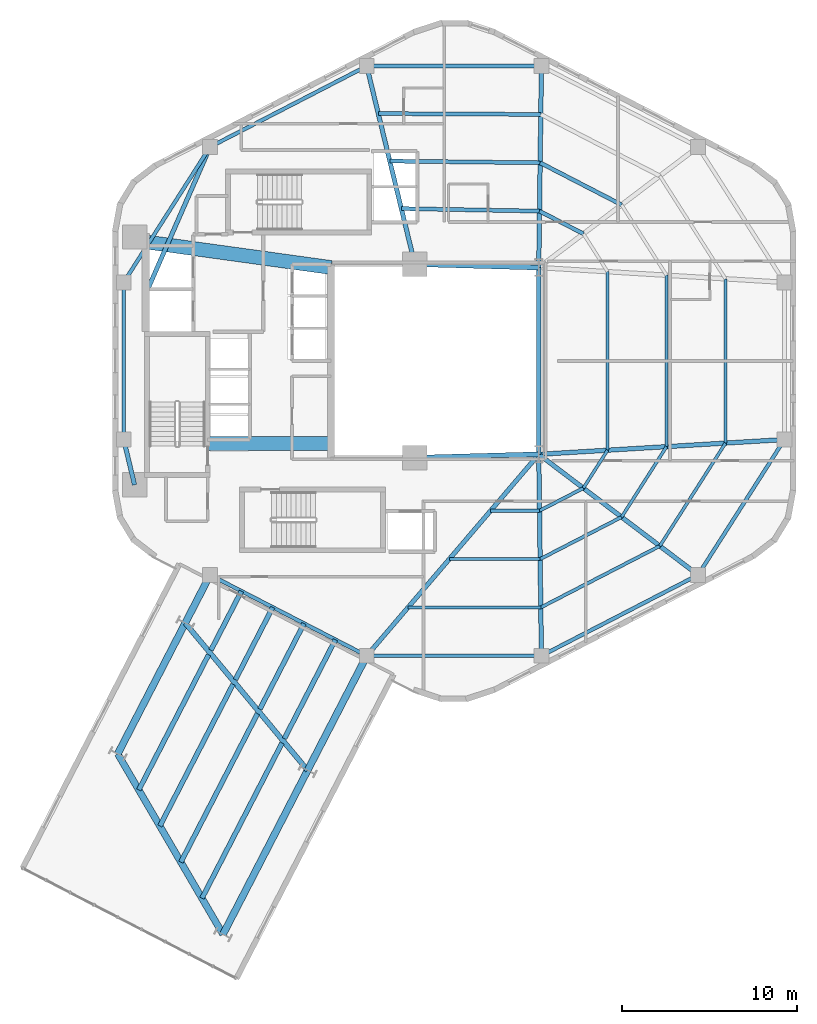
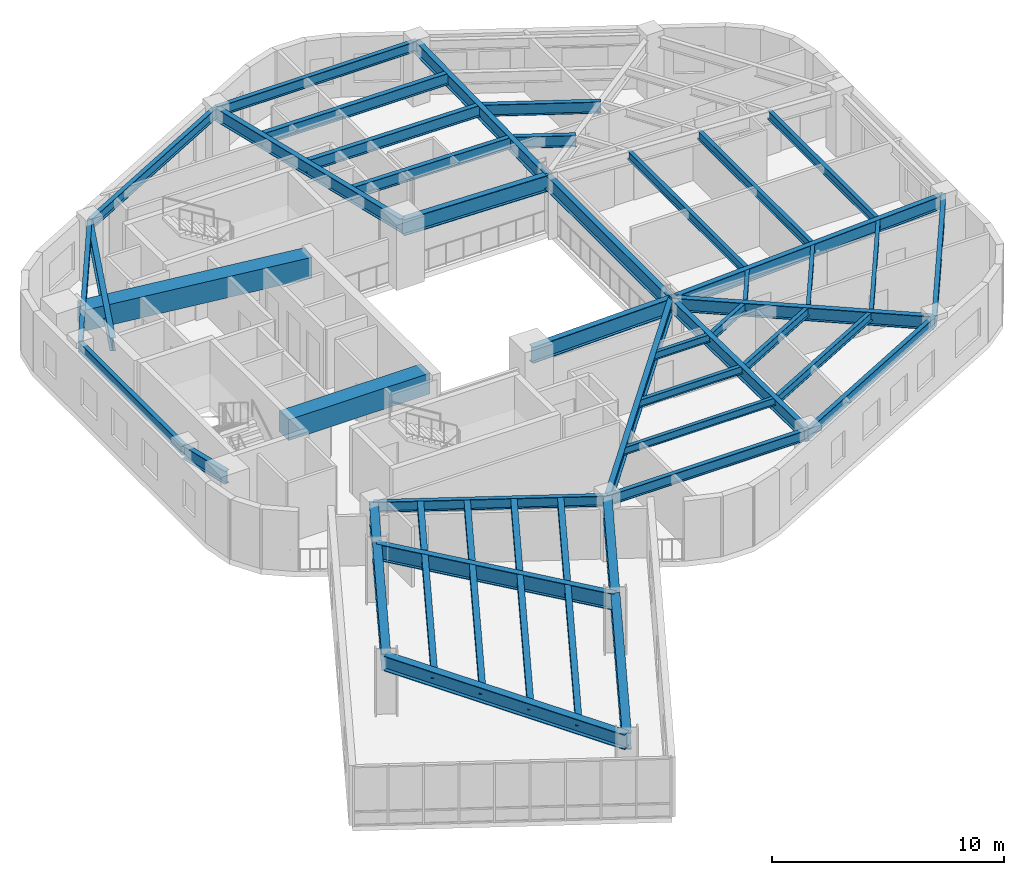
# One storey, part 3 of 9: 52 beams.
"""IFC4 building model written with IfcOpenShell, lengths in metres."""

from ifc_helpers import new_model, si_unit, direction, frame, origin, origin_2d, place, context, subcontext, project, spatial, rectangle, i_section, extrude, material, material_profile, profile_set, type_object, element, save


model = new_model("IFC4")

# Units and contexts
model_context = context("Model", 3, precision=1e-05, world=origin(), true_north=direction((0.0, 1.0)))
body_context = subcontext(model_context, "Body", "Model", "MODEL_VIEW")
ifc_project = project(units=[si_unit("LENGTHUNIT", "METRE"), si_unit("AREAUNIT", "SQUARE_METRE"), si_unit("VOLUMEUNIT", "CUBIC_METRE"), si_unit("PLANEANGLEUNIT", "RADIAN"), si_unit("MASSUNIT", "GRAM", prefix="KILO"), si_unit("THERMODYNAMICTEMPERATUREUNIT", "KELVIN"), si_unit("POWERUNIT", "WATT")], contexts=[model_context])

# Site, building, storey
site_placement = place(None, origin())
site = spatial("IfcSite", under=ifc_project, at=site_placement, CompositionType="ELEMENT")
building_placement = place(site_placement, origin())
building = spatial("IfcBuilding", under=site, at=building_placement, Name="Skarre Station Tower", CompositionType="ELEMENT")
storey_placement = place(building_placement, frame((0.0, 0.0, 174.0)))
storey = spatial("IfcBuildingStorey", under=building, at=storey_placement, Name="L47", CompositionType="ELEMENT", Elevation=174.0)

# Beams
ifc_material_1 = material(Name="Concrete C70/85", Category="concrete")
ifc_material_profile_1 = material_profile(ifc_material_1, rectangle(XDim=0.800048828125, YDim=1.10009765625, at=origin_2d()), Name="Concrete C70/85")
ifc_profile_set_1 = profile_set([ifc_material_profile_1], Name="Concrete C70/85")
beam_type_1 = type_object("IfcBeamType", Name="RC Core Coupling Lintel 800x1100", PredefinedType="LINTEL", material=ifc_profile_set_1)
beam_1_placement = place(storey_placement, frame((20.489990234375, 19.260009765625, 2.610107421875), z_axis=(1.0, 0.0, 0.0), x_axis=(0.0, 1.0, 0.0)))
element("IfcBeam", 1, at=beam_1_placement, inside=storey, type_object=beam_type_1, Name="L47 South Core Coupling Lintel", PredefinedType="LINTEL", context=body_context, shape_type="SweptSolid", body=[
    extrude(rectangle(XDim=0.800048828125, YDim=1.10009765625, at=origin_2d()), origin(), (0.0, 0.0, 1.0), 7.06005859375),
])
beam_2_placement = place(storey_placement, frame((17.050048828125, 30.800048828125, 2.610107421875), z_axis=(0.990599723633, -0.136792498109, 0.0), x_axis=(0.136792498109, 0.990599723633, 0.0)))
element("IfcBeam", 2, at=beam_2_placement, inside=storey, type_object=beam_type_1, Name="L47 North Core Coupling Lintel", PredefinedType="LINTEL", context=body_context, shape_type="SweptSolid", body=[
    extrude(rectangle(XDim=0.800048828125, YDim=1.10009765625, at=origin_2d()), origin(), (0.0, 0.0, 1.0), 10.599609375),
])
ifc_material_2 = material(Name="Steel ASTM A992 Grade 50", Category="steel")
ifc_material_profile_2 = material_profile(ifc_material_2, i_section(OverallWidth=0.256103515625, OverallDepth=0.693115234375, WebThickness=0.013916015625, FlangeThickness=0.02392578125, at=origin_2d()), Name="Steel ASTM A992 Grade 50")
ifc_profile_set_2 = profile_set([ifc_material_profile_2], Name="Steel ASTM A992 Grade 50")
beam_type_2 = type_object("IfcBeamType", Name="Steel Beam W27X114", PredefinedType="BEAM", material=ifc_profile_set_2)
beam_3_placement = place(storey_placement, frame((39.449951171875, 29.35009765625, 2.81396484375), z_axis=(0.013181528887, 0.999913119874, 0.0), x_axis=(-0.999913119874, 0.013181528887, 0.0)))
element("IfcBeam", 3, at=beam_3_placement, inside=storey, type_object=beam_type_2, Name="L47 Radial Floor Girder F0C2", PredefinedType="BEAM", context=body_context, shape_type="SweptSolid", body=[
    extrude(i_section(OverallWidth=0.256103515625, OverallDepth=0.693115234375, WebThickness=0.013916015625, FlangeThickness=0.02392578125, at=origin_2d()), origin(), (0.0, 0.0, 1.0), 11.538818359375),
])
beam_4_placement = place(storey_placement, frame((32.35009765625, 29.550048828125, 2.81396484375), z_axis=(-0.235892880832, 0.971779063765, 0.0), x_axis=(-0.971779063765, -0.235892880832, 0.0)))
element("IfcBeam", 4, at=beam_4_placement, inside=storey, type_object=beam_type_2, Name="L47 Radial Floor Girder F1C1", PredefinedType="BEAM", context=body_context, shape_type="SweptSolid", body=[
    extrude(i_section(OverallWidth=0.256103515625, OverallDepth=0.693115234375, WebThickness=0.013916015625, FlangeThickness=0.02392578125, at=origin_2d()), origin(), (0.0, 0.0, 1.0), 11.667236328125),
])
beam_5_placement = place(storey_placement, frame((17.010009765625, 28.0, 2.81396484375), z_axis=(0.401144174417, 0.916014929644, 0.0), x_axis=(-0.916014929644, 0.401144174417, 0.0)))
element("IfcBeam", 5, at=beam_5_placement, inside=storey, type_object=beam_type_2, Name="L47 Radial Floor Girder F1C2", PredefinedType="BEAM", context=body_context, shape_type="SweptSolid", body=[
    extrude(i_section(OverallWidth=0.256103515625, OverallDepth=0.693115234375, WebThickness=0.013916015625, FlangeThickness=0.02392578125, at=origin_2d()), origin(), (0.0, 0.0, 1.0), 9.01416015625),
])
beam_6_placement = place(storey_placement, frame((16.300048828125, 16.89990234375, 2.81396484375), z_axis=(-0.232764815072, 0.972533053867, 0.0), x_axis=(-0.972533053867, -0.232764815072, 0.0)))
element("IfcBeam", 6, at=beam_6_placement, inside=storey, type_object=beam_type_2, Name="L47 Radial Floor Girder F2C2", PredefinedType="BEAM", context=body_context, shape_type="SweptSolid", body=[
    extrude(i_section(OverallWidth=0.256103515625, OverallDepth=0.693115234375, WebThickness=0.013916015625, FlangeThickness=0.02392578125, at=origin_2d()), origin(), (0.0, 0.0, 1.0), 2.672607421875),
])
beam_7_placement = place(storey_placement, frame((39.449951171875, 18.64990234375, 2.81396484375), z_axis=(-0.649364312169, -0.760477475065, 0.0), x_axis=(0.760477475065, -0.649364312169, 0.0)))
element("IfcBeam", 7, at=beam_7_placement, inside=storey, type_object=beam_type_2, Name="L47 Radial Floor Girder F3C2", PredefinedType="BEAM", context=body_context, shape_type="SweptSolid", body=[
    extrude(i_section(OverallWidth=0.256103515625, OverallDepth=0.693115234375, WebThickness=0.013916015625, FlangeThickness=0.02392578125, at=origin_2d()), origin(), (0.0, 0.0, 1.0), 15.171875),
])
beam_8_placement = place(storey_placement, frame((39.449951171875, 18.64990234375, 2.81396484375), z_axis=(0.013181528887, -0.999913119874, 0.0), x_axis=(0.999913119874, 0.013181528887, 0.0)))
element("IfcBeam", 8, at=beam_8_placement, inside=storey, type_object=beam_type_2, Name="L47 Radial Floor Girder F4C1", PredefinedType="BEAM", context=body_context, shape_type="SweptSolid", body=[
    extrude(i_section(OverallWidth=0.256103515625, OverallDepth=0.693115234375, WebThickness=0.013916015625, FlangeThickness=0.02392578125, at=origin_2d()), origin(), (0.0, 0.0, 1.0), 11.538818359375),
])
beam_9_placement = place(storey_placement, frame((39.449951171875, 18.64990234375, 2.81396484375), z_axis=(0.797308988117, -0.603571352425, 0.0), x_axis=(0.603571352425, 0.797308988117, 0.0)))
element("IfcBeam", 9, at=beam_9_placement, inside=storey, type_object=beam_type_2, Name="L47 Radial Floor Girder F4C2", PredefinedType="BEAM", context=body_context, shape_type="SweptSolid", body=[
    extrude(i_section(OverallWidth=0.256103515625, OverallDepth=0.693115234375, WebThickness=0.013916015625, FlangeThickness=0.02392578125, at=origin_2d()), origin(), (0.0, 0.0, 1.0), 11.443603515625),
])
beam_10_placement = place(storey_placement, frame((39.449951171875, 18.64990234375, 2.81396484375), z_axis=(0.998184432941, 0.060231535207, 0.0), x_axis=(-0.060231535207, 0.998184432941, 0.0)))
element("IfcBeam", 10, at=beam_10_placement, inside=storey, type_object=beam_type_2, Name="L47 Radial Floor Girder F5C1", PredefinedType="BEAM", context=body_context, shape_type="SweptSolid", body=[
    extrude(i_section(OverallWidth=0.256103515625, OverallDepth=0.693115234375, WebThickness=0.013916015625, FlangeThickness=0.02392578125, at=origin_2d()), origin(), (0.0, 0.0, 1.0), 14.09765625),
])
ifc_material_profile_3 = material_profile(ifc_material_2, i_section(OverallWidth=0.26806640625, OverallDepth=0.77001953125, WebThickness=0.01611328125, FlangeThickness=0.02490234375, at=origin_2d()), Name="Steel ASTM A992 Grade 50")
ifc_profile_set_3 = profile_set([ifc_material_profile_3], Name="Steel ASTM A992 Grade 50")
beam_type_3 = type_object("IfcBeamType", Name="Steel Beam W30X132", PredefinedType="BEAM", material=ifc_profile_set_3)
beam_11_placement = place(storey_placement, frame((39.449951171875, 18.64990234375, 2.77490234375), z_axis=(0.0, 1.0, 0.0), x_axis=(-1.0, 0.0, 0.0)))
element("IfcBeam", 11, at=beam_11_placement, inside=storey, type_object=beam_type_3, Name="L47 Atrium East Edge Girder", PredefinedType="BEAM", context=body_context, shape_type="SweptSolid", body=[
    extrude(i_section(OverallWidth=0.26806640625, OverallDepth=0.77001953125, WebThickness=0.01611328125, FlangeThickness=0.02490234375, at=origin_2d()), origin(), (0.0, 0.0, 1.0), 10.7001953125),
])
ifc_material_profile_4 = material_profile(ifc_material_2, i_section(OverallWidth=0.2919921875, OverallDepth=0.85888671875, WebThickness=0.01708984375, FlangeThickness=0.031005859375, at=origin_2d()), Name="Steel ASTM A992 Grade 50")
ifc_profile_set_4 = profile_set([ifc_material_profile_4], Name="Steel ASTM A992 Grade 50")
beam_type_4 = type_object("IfcBeamType", Name="Steel Beam W33X169", PredefinedType="BEAM", material=ifc_profile_set_4)
for number, where, z_axis, x_axis, name in (
    (12, (32.35009765625, 18.449951171875, 2.73095703125), (0.999603666405, 0.028151556095, 0.0), (-0.028151556095, 0.999603666405, 0.0), "L47 Atrium South Edge Girder"),
    (13, (32.35009765625, 29.550048828125, 2.73095703125), (0.999603666405, -0.028151556095, 0.0), (0.028151556095, 0.999603666405, 0.0), "L47 Atrium North Edge Girder"),
):
    element("IfcBeam", number, at=place(storey_placement, frame(where, z_axis=z_axis, x_axis=x_axis)), inside=storey, type_object=beam_type_4, Name=name, PredefinedType="BEAM", context=body_context, shape_type="SweptSolid", body=[
        extrude(i_section(OverallWidth=0.2919921875, OverallDepth=0.85888671875, WebThickness=0.01708984375, FlangeThickness=0.031005859375, at=origin_2d()), origin(), (0.0, 0.0, 1.0), 7.102783203125),
    ])
beam_12_placement = place(storey_placement, frame((19.2041015625, 8.988037109375, 2.73095703125), z_axis=(0.639128306771, -0.769100128386, 0.0), x_axis=(0.769100128386, 0.639128306771, 0.0)))
element("IfcBeam", 14, at=beam_12_placement, inside=storey, type_object=beam_type_4, Name="L47 SB-4 Mid Transverse Girder", PredefinedType="BEAM", context=body_context, shape_type="SweptSolid", body=[
    extrude(i_section(OverallWidth=0.2919921875, OverallDepth=0.85888671875, WebThickness=0.01708984375, FlangeThickness=0.031005859375, at=origin_2d()), origin(), (0.0, 0.0, 1.0), 10.966064453125),
])
ifc_material_profile_5 = material_profile(ifc_material_2, i_section(OverallWidth=0.40087890625, OverallDepth=0.876953125, WebThickness=0.02197265625, FlangeThickness=0.0400390625, at=origin_2d()), Name="Steel ASTM A992 Grade 50")
ifc_profile_set_5 = profile_set([ifc_material_profile_5], Name="Steel ASTM A992 Grade 50")
beam_type_5 = type_object("IfcBeamType", Name="Steel Beam W33X263", PredefinedType="BEAM", material=ifc_profile_set_5)
beam_13_placement = place(storey_placement, frame((20.6259765625, 11.742919921875, 2.720947265625), z_axis=(-0.45864291977, -0.888620657055, 0.0), x_axis=(0.888620657055, -0.45864291977, 0.0)))
element("IfcBeam", 15, at=beam_13_placement, inside=storey, type_object=beam_type_5, Name="L47 SB-4 Side 1 Inner Girder", PredefinedType="BEAM", context=body_context, shape_type="SweptSolid", body=[
    extrude(i_section(OverallWidth=0.40087890625, OverallDepth=0.876953125, WebThickness=0.02197265625, FlangeThickness=0.0400390625, at=origin_2d()), origin(), (0.0, 0.0, 1.0), 3.10009765625),
])
beam_14_placement = place(storey_placement, frame((19.2041015625, 8.988037109375, 2.720947265625), z_axis=(-0.4586340671, -0.888625226119, 0.0), x_axis=(0.888625226119, -0.4586340671, 0.0)))
element("IfcBeam", 16, at=beam_14_placement, inside=storey, type_object=beam_type_5, Name="L47 SB-4 Side 1 Outer Girder", PredefinedType="BEAM", context=body_context, shape_type="SweptSolid", body=[
    extrude(i_section(OverallWidth=0.40087890625, OverallDepth=0.876953125, WebThickness=0.02197265625, FlangeThickness=0.0400390625, at=origin_2d()), origin(), (0.0, 0.0, 1.0), 8.429931640625),
])
beam_15_placement = place(storey_placement, frame((29.597900390625, 7.112060546875, 2.720947265625), z_axis=(-0.45866230048, -0.88861065384, 0.0), x_axis=(0.88861065384, -0.45866230048, 0.0)))
element("IfcBeam", 17, at=beam_15_placement, inside=storey, type_object=beam_type_5, Name="L47 SB-4 Side 2 Inner Girder", PredefinedType="BEAM", context=body_context, shape_type="SweptSolid", body=[
    extrude(i_section(OverallWidth=0.40087890625, OverallDepth=0.876953125, WebThickness=0.02197265625, FlangeThickness=0.0400390625, at=origin_2d()), origin(), (0.0, 0.0, 1.0), 7.380126953125),
])
beam_16_placement = place(storey_placement, frame((26.212890625, 0.553955078125, 2.720947265625), z_axis=(-0.458632918092, -0.88862581914, 0.0), x_axis=(0.88862581914, -0.458632918092, 0.0)))
element("IfcBeam", 18, at=beam_16_placement, inside=storey, type_object=beam_type_5, Name="L47 SB-4 Side 2 Outer Girder", PredefinedType="BEAM", context=body_context, shape_type="SweptSolid", body=[
    extrude(i_section(OverallWidth=0.40087890625, OverallDepth=0.876953125, WebThickness=0.02197265625, FlangeThickness=0.0400390625, at=origin_2d()), origin(), (0.0, 0.0, 1.0), 10.5703125),
])
ifc_material_profile_6 = material_profile(ifc_material_2, i_section(OverallWidth=0.177978515625, OverallDepth=0.403076171875, WebThickness=0.008056640625, FlangeThickness=0.010986328125, at=origin_2d()), Name="Steel ASTM A992 Grade 50")
ifc_profile_set_6 = profile_set([ifc_material_profile_6], Name="Steel ASTM A992 Grade 50")
beam_type_6 = type_object("IfcBeamType", Name="Steel Joist W16X36", PredefinedType="JOIST", material=ifc_profile_set_6)
beam_17_placement = place(storey_placement, frame((36.69091796875, 15.4189453125, 2.9580078125), z_axis=(1.0, 0.0, 0.0), x_axis=(0.0, 1.0, 0.0)))
element("IfcBeam", 19, at=beam_17_placement, inside=storey, type_object=beam_type_6, Name="L47 Auxiliary Composite Joist 10", PredefinedType="JOIST", context=body_context, shape_type="SweptSolid", body=[
    extrude(i_section(OverallWidth=0.177978515625, OverallDepth=0.403076171875, WebThickness=0.008056640625, FlangeThickness=0.010986328125, at=origin_2d()), origin(), (0.0, 0.0, 1.0), 2.802001953125),
])
beam_18_placement = place(storey_placement, frame((34.326904296875, 12.64990234375, 2.9580078125), z_axis=(1.0, 0.0, 0.0), x_axis=(0.0, 1.0, 0.0)))
element("IfcBeam", 20, at=beam_18_placement, inside=storey, type_object=beam_type_6, Name="L47 Auxiliary Composite Joist 11", PredefinedType="JOIST", context=body_context, shape_type="SweptSolid", body=[
    extrude(i_section(OverallWidth=0.177978515625, OverallDepth=0.403076171875, WebThickness=0.008056640625, FlangeThickness=0.010986328125, at=origin_2d()), origin(), (0.0, 0.0, 1.0), 5.2021484375),
])
beam_19_placement = place(storey_placement, frame((31.9619140625, 9.881103515625, 2.9580078125), z_axis=(1.0, 0.0, 0.0), x_axis=(0.0, 1.0, 0.0)))
element("IfcBeam", 21, at=beam_19_placement, inside=storey, type_object=beam_type_6, Name="L47 Auxiliary Composite Joist 12", PredefinedType="JOIST", context=body_context, shape_type="SweptSolid", body=[
    extrude(i_section(OverallWidth=0.177978515625, OverallDepth=0.403076171875, WebThickness=0.008056640625, FlangeThickness=0.010986328125, at=origin_2d()), origin(), (0.0, 0.0, 1.0), 7.60400390625),
])
beam_20_placement = place(storey_placement, frame((42.0048828125, 16.716064453125, 2.9580078125), z_axis=(0.537678636248, 0.843149858639, 0.0), x_axis=(-0.843149858639, 0.537678636248, 0.0)))
element("IfcBeam", 22, at=beam_20_placement, inside=storey, type_object=beam_type_6, Name="L47 Auxiliary Composite Joist 16", PredefinedType="JOIST", context=body_context, shape_type="SweptSolid", body=[
    extrude(i_section(OverallWidth=0.177978515625, OverallDepth=0.403076171875, WebThickness=0.008056640625, FlangeThickness=0.010986328125, at=origin_2d()), origin(), (0.0, 0.0, 1.0), 2.575927734375),
])
beam_21_placement = place(storey_placement, frame((44.194091796875, 15.05810546875, 2.9580078125), z_axis=(0.53785259263, 0.843038901001, 0.0), x_axis=(-0.843038901001, 0.53785259263, 0.0)))
element("IfcBeam", 23, at=beam_21_placement, inside=storey, type_object=beam_type_6, Name="L47 Auxiliary Composite Joist 17", PredefinedType="JOIST", context=body_context, shape_type="SweptSolid", body=[
    extrude(i_section(OverallWidth=0.177978515625, OverallDepth=0.403076171875, WebThickness=0.008056640625, FlangeThickness=0.010986328125, at=origin_2d()), origin(), (0.0, 0.0, 1.0), 4.783935546875),
])
beam_22_placement = place(storey_placement, frame((46.384033203125, 13.40087890625, 2.9580078125), z_axis=(0.537916675884, 0.842998012931, 0.0), x_axis=(-0.842998012931, 0.537916675884, 0.0)))
element("IfcBeam", 24, at=beam_22_placement, inside=storey, type_object=beam_type_6, Name="L47 Auxiliary Composite Joist 18", PredefinedType="JOIST", context=body_context, shape_type="SweptSolid", body=[
    extrude(i_section(OverallWidth=0.177978515625, OverallDepth=0.403076171875, WebThickness=0.008056640625, FlangeThickness=0.010986328125, at=origin_2d()), origin(), (0.0, 0.0, 1.0), 6.99169921875),
])
ifc_material_profile_7 = material_profile(ifc_material_2, i_section(OverallWidth=0.19091796875, OverallDepth=0.45703125, WebThickness=0.009033203125, FlangeThickness=0.013916015625, at=origin_2d()), Name="Steel ASTM A992 Grade 50")
ifc_profile_set_7 = profile_set([ifc_material_profile_7], Name="Steel ASTM A992 Grade 50")
beam_type_7 = type_object("IfcBeamType", Name="Steel Joist W18X50", PredefinedType="JOIST", material=ifc_profile_set_7)
beam_23_placement = place(storey_placement, frame((39.492919921875, 15.4189453125, 2.930908203125), z_axis=(0.888530947613, 0.458816690122, 0.0), x_axis=(-0.458816690122, 0.888530947613, 0.0)))
element("IfcBeam", 25, at=beam_23_placement, inside=storey, type_object=beam_type_7, Name="L47 Auxiliary Composite Joist 13", PredefinedType="JOIST", context=body_context, shape_type="SweptSolid", body=[
    extrude(i_section(OverallWidth=0.19091796875, OverallDepth=0.45703125, WebThickness=0.009033203125, FlangeThickness=0.013916015625, at=origin_2d()), origin(), (0.0, 0.0, 1.0), 2.8271484375),
])
beam_24_placement = place(storey_placement, frame((39.529052734375, 12.64990234375, 2.930908203125), z_axis=(0.888586417093, 0.458709253622, 0.0), x_axis=(-0.458709253622, 0.888586417093, 0.0)))
element("IfcBeam", 26, at=beam_24_placement, inside=storey, type_object=beam_type_7, Name="L47 Auxiliary Composite Joist 14", PredefinedType="JOIST", context=body_context, shape_type="SweptSolid", body=[
    extrude(i_section(OverallWidth=0.19091796875, OverallDepth=0.45703125, WebThickness=0.009033203125, FlangeThickness=0.013916015625, at=origin_2d()), origin(), (0.0, 0.0, 1.0), 5.25),
])
beam_25_placement = place(storey_placement, frame((39.56591796875, 9.881103515625, 2.930908203125), z_axis=(0.888580913917, 0.458719913916, 0.0), x_axis=(-0.458719913916, 0.888580913917, 0.0)))
element("IfcBeam", 27, at=beam_25_placement, inside=storey, type_object=beam_type_7, Name="L47 Auxiliary Composite Joist 15", PredefinedType="JOIST", context=body_context, shape_type="SweptSolid", body=[
    extrude(i_section(OverallWidth=0.19091796875, OverallDepth=0.45703125, WebThickness=0.009033203125, FlangeThickness=0.013916015625, at=origin_2d()), origin(), (0.0, 0.0, 1.0), 7.673095703125),
])
beam_26_placement = place(storey_placement, frame((43.389892578125, 18.887939453125, 2.930908203125), z_axis=(0.0, 1.0, 0.0), x_axis=(-1.0, 0.0, 0.0)))
element("IfcBeam", 28, at=beam_26_placement, inside=storey, type_object=beam_type_7, Name="L47 Auxiliary Composite Joist 19", PredefinedType="JOIST", context=body_context, shape_type="SweptSolid", body=[
    extrude(i_section(OverallWidth=0.19091796875, OverallDepth=0.45703125, WebThickness=0.009033203125, FlangeThickness=0.013916015625, at=origin_2d()), origin(), (0.0, 0.0, 1.0), 10.22412109375),
])
beam_27_placement = place(storey_placement, frame((46.76708984375, 19.091064453125, 2.930908203125), z_axis=(0.0, 1.0, 0.0), x_axis=(-1.0, 0.0, 0.0)))
element("IfcBeam", 29, at=beam_27_placement, inside=storey, type_object=beam_type_7, Name="L47 Auxiliary Composite Joist 20", PredefinedType="JOIST", context=body_context, shape_type="SweptSolid", body=[
    extrude(i_section(OverallWidth=0.19091796875, OverallDepth=0.45703125, WebThickness=0.009033203125, FlangeThickness=0.013916015625, at=origin_2d()), origin(), (0.0, 0.0, 1.0), 9.81787109375),
])
beam_28_placement = place(storey_placement, frame((50.14501953125, 19.294921875, 2.930908203125), z_axis=(0.0, 1.0, 0.0), x_axis=(-1.0, 0.0, 0.0)))
element("IfcBeam", 30, at=beam_28_placement, inside=storey, type_object=beam_type_7, Name="L47 Auxiliary Composite Joist 21", PredefinedType="JOIST", context=body_context, shape_type="SweptSolid", body=[
    extrude(i_section(OverallWidth=0.19091796875, OverallDepth=0.45703125, WebThickness=0.009033203125, FlangeThickness=0.013916015625, at=origin_2d()), origin(), (0.0, 0.0, 1.0), 9.41015625),
])
ifc_material_profile_8 = material_profile(ifc_material_2, i_section(OverallWidth=0.280029296875, OverallDepth=0.462890625, WebThickness=0.010986328125, FlangeThickness=0.01708984375, at=origin_2d()), Name="Steel ASTM A992 Grade 50")
ifc_profile_set_8 = profile_set([ifc_material_profile_8], Name="Steel ASTM A992 Grade 50")
beam_type_8 = type_object("IfcBeamType", Name="Steel Joist W18X76", PredefinedType="JOIST", material=ifc_profile_set_8)
beam_29_placement = place(storey_placement, frame((22.419921875, 10.81689453125, 2.927978515625), z_axis=(-0.45847488749, -0.888707363276, 0.0), x_axis=(0.888707363276, -0.45847488749, 0.0)))
element("IfcBeam", 31, at=beam_29_placement, inside=storey, type_object=beam_type_8, Name="L47 SB-4 Inner Deck Joist 1", PredefinedType="JOIST", context=body_context, shape_type="SweptSolid", body=[
    extrude(i_section(OverallWidth=0.280029296875, OverallDepth=0.462890625, WebThickness=0.010986328125, FlangeThickness=0.01708984375, at=origin_2d()), origin(), (0.0, 0.0, 1.0), 3.812255859375),
])
beam_30_placement = place(storey_placement, frame((20.5400390625, 7.173095703125, 2.927978515625), z_axis=(-0.458697157585, -0.888592661248, 0.0), x_axis=(0.888592661248, -0.458697157585, 0.0)))
element("IfcBeam", 32, at=beam_30_placement, inside=storey, type_object=beam_type_8, Name="L47 SB-4 Outer Deck Joist 1", PredefinedType="JOIST", context=body_context, shape_type="SweptSolid", body=[
    extrude(i_section(OverallWidth=0.280029296875, OverallDepth=0.462890625, WebThickness=0.010986328125, FlangeThickness=0.01708984375, at=origin_2d()), origin(), (0.0, 0.0, 1.0), 8.7138671875),
])
beam_31_placement = place(storey_placement, frame((24.215087890625, 9.89111328125, 2.927978515625), z_axis=(-0.458576321714, -0.888655027085, 0.0), x_axis=(0.888655027085, -0.458576321714, 0.0)))
element("IfcBeam", 33, at=beam_31_placement, inside=storey, type_object=beam_type_8, Name="L47 SB-4 Inner Deck Joist 2", PredefinedType="JOIST", context=body_context, shape_type="SweptSolid", body=[
    extrude(i_section(OverallWidth=0.280029296875, OverallDepth=0.462890625, WebThickness=0.010986328125, FlangeThickness=0.01708984375, at=origin_2d()), origin(), (0.0, 0.0, 1.0), 4.6689453125),
])
beam_32_placement = place(storey_placement, frame((21.94189453125, 5.486083984375, 2.927978515625), z_axis=(-0.458671492195, -0.888605909415, 0.0), x_axis=(0.888605909415, -0.458671492195, 0.0)))
element("IfcBeam", 34, at=beam_32_placement, inside=storey, type_object=beam_type_8, Name="L47 SB-4 Outer Deck Joist 2", PredefinedType="JOIST", context=body_context, shape_type="SweptSolid", body=[
    extrude(i_section(OverallWidth=0.280029296875, OverallDepth=0.462890625, WebThickness=0.010986328125, FlangeThickness=0.01708984375, at=origin_2d()), origin(), (0.0, 0.0, 1.0), 9.141357421875),
])
beam_33_placement = place(storey_placement, frame((26.009033203125, 8.964111328125, 2.927978515625), z_axis=(-0.458738614442, -0.888571259731, 0.0), x_axis=(0.888571259731, -0.458738614442, 0.0)))
element("IfcBeam", 35, at=beam_33_placement, inside=storey, type_object=beam_type_8, Name="L47 SB-4 Inner Deck Joist 3", PredefinedType="JOIST", context=body_context, shape_type="SweptSolid", body=[
    extrude(i_section(OverallWidth=0.280029296875, OverallDepth=0.462890625, WebThickness=0.010986328125, FlangeThickness=0.01708984375, at=origin_2d()), origin(), (0.0, 0.0, 1.0), 5.523681640625),
])
beam_34_placement = place(storey_placement, frame((23.343017578125, 3.800048828125, 2.927978515625), z_axis=(-0.458574691889, -0.888655868128, 0.0), x_axis=(0.888655868128, -0.458574691889, 0.0)))
element("IfcBeam", 36, at=beam_34_placement, inside=storey, type_object=beam_type_8, Name="L47 SB-4 Outer Deck Joist 3", PredefinedType="JOIST", context=body_context, shape_type="SweptSolid", body=[
    extrude(i_section(OverallWidth=0.280029296875, OverallDepth=0.462890625, WebThickness=0.010986328125, FlangeThickness=0.01708984375, at=origin_2d()), origin(), (0.0, 0.0, 1.0), 9.57080078125),
])
beam_35_placement = place(storey_placement, frame((27.803955078125, 8.0380859375, 2.927978515625), z_axis=(-0.458762805184, -0.88855877047, 0.0), x_axis=(0.88855877047, -0.458762805184, 0.0)))
element("IfcBeam", 37, at=beam_35_placement, inside=storey, type_object=beam_type_8, Name="L47 SB-4 Inner Deck Joist 4", PredefinedType="JOIST", context=body_context, shape_type="SweptSolid", body=[
    extrude(i_section(OverallWidth=0.280029296875, OverallDepth=0.462890625, WebThickness=0.010986328125, FlangeThickness=0.01708984375, at=origin_2d()), origin(), (0.0, 0.0, 1.0), 6.380126953125),
])
beam_36_placement = place(storey_placement, frame((24.7451171875, 2.113037109375, 2.927978515625), z_axis=(-0.458595026057, -0.888645374756, 0.0), x_axis=(0.888645374756, -0.458595026057, 0.0)))
element("IfcBeam", 38, at=beam_36_placement, inside=storey, type_object=beam_type_8, Name="L47 SB-4 Outer Deck Joist 4", PredefinedType="JOIST", context=body_context, shape_type="SweptSolid", body=[
    extrude(i_section(OverallWidth=0.280029296875, OverallDepth=0.462890625, WebThickness=0.010986328125, FlangeThickness=0.01708984375, at=origin_2d()), origin(), (0.0, 0.0, 1.0), 9.998291015625),
])
ifc_material_profile_9 = material_profile(ifc_material_2, i_section(OverallWidth=0.22802734375, OverallDepth=0.60791015625, WebThickness=0.010986328125, FlangeThickness=0.01708984375, at=origin_2d()), Name="Steel ASTM A992 Grade 50")
ifc_profile_set_9 = profile_set([ifc_material_profile_9], Name="Steel ASTM A992 Grade 50")
beam_type_9 = type_object("IfcBeamType", Name="Steel Joist W24X76", PredefinedType="JOIST", material=ifc_profile_set_9)
beam_37_placement = place(storey_placement, frame((42.0048828125, 31.283935546875, 2.85595703125), z_axis=(-0.888530947613, 0.458816690122, 0.0), x_axis=(-0.458816690122, -0.888530947613, 0.0)))
element("IfcBeam", 39, at=beam_37_placement, inside=storey, type_object=beam_type_9, Name="L47 Secondary Floor Joist 1", PredefinedType="JOIST", context=body_context, shape_type="SweptSolid", body=[
    extrude(i_section(OverallWidth=0.22802734375, OverallDepth=0.60791015625, WebThickness=0.010986328125, FlangeThickness=0.01708984375, at=origin_2d()), origin(), (0.0, 0.0, 1.0), 2.8271484375),
])
beam_38_placement = place(storey_placement, frame((44.194091796875, 32.94189453125, 2.85595703125), z_axis=(-0.888586417093, 0.458709253622, 0.0), x_axis=(-0.458709253622, -0.888586417093, 0.0)))
element("IfcBeam", 40, at=beam_38_placement, inside=storey, type_object=beam_type_9, Name="L47 Secondary Floor Joist 2", PredefinedType="JOIST", context=body_context, shape_type="SweptSolid", body=[
    extrude(i_section(OverallWidth=0.22802734375, OverallDepth=0.60791015625, WebThickness=0.010986328125, FlangeThickness=0.01708984375, at=origin_2d()), origin(), (0.0, 0.0, 1.0), 5.25),
])
beam_39_placement = place(storey_placement, frame((39.492919921875, 32.5810546875, 2.85595703125), z_axis=(-0.999834394757, 0.01819843569, 0.0), x_axis=(-0.01819843569, -0.999834394757, 0.0)))
element("IfcBeam", 41, at=beam_39_placement, inside=storey, type_object=beam_type_9, Name="L47 Secondary Floor Joist 4", PredefinedType="JOIST", context=body_context, shape_type="SweptSolid", body=[
    extrude(i_section(OverallWidth=0.22802734375, OverallDepth=0.60791015625, WebThickness=0.010986328125, FlangeThickness=0.01708984375, at=origin_2d()), origin(), (0.0, 0.0, 1.0), 7.9150390625),
])
beam_40_placement = place(storey_placement, frame((39.529052734375, 35.35009765625, 2.85595703125), z_axis=(-0.999937916295, 0.011142870137, 0.0), x_axis=(-0.011142870137, -0.999937916295, 0.0)))
element("IfcBeam", 42, at=beam_40_placement, inside=storey, type_object=beam_type_9, Name="L47 Secondary Floor Joist 5", PredefinedType="JOIST", context=body_context, shape_type="SweptSolid", body=[
    extrude(i_section(OverallWidth=0.22802734375, OverallDepth=0.60791015625, WebThickness=0.010986328125, FlangeThickness=0.01708984375, at=origin_2d()), origin(), (0.0, 0.0, 1.0), 8.610595703125),
])
beam_41_placement = place(storey_placement, frame((39.56591796875, 38.118896484375, 2.85595703125), z_axis=(-0.999986650222, 0.005167144134, 0.0), x_axis=(-0.005167144134, -0.999986650222, 0.0)))
element("IfcBeam", 43, at=beam_41_placement, inside=storey, type_object=beam_type_9, Name="L47 Secondary Floor Joist 6", PredefinedType="JOIST", context=body_context, shape_type="SweptSolid", body=[
    extrude(i_section(OverallWidth=0.22802734375, OverallDepth=0.60791015625, WebThickness=0.010986328125, FlangeThickness=0.01708984375, at=origin_2d()), origin(), (0.0, 0.0, 1.0), 9.30810546875),
])
ifc_material_profile_10 = material_profile(ifc_material_2, i_section(OverallWidth=0.214111328125, OverallDepth=0.549072265625, WebThickness=0.014892578125, FlangeThickness=0.02392578125, at=origin_2d()), Name="Steel ASTM A992 Grade 50")
ifc_profile_set_10 = profile_set([ifc_material_profile_10], Name="Steel ASTM A992 Grade 50")
beam_type_10 = type_object("IfcBeamType", Name="Steel Spandrel W21X93", PredefinedType="SPANDREL", material=ifc_profile_set_10)
beam_42_placement = place(storey_placement, frame((39.60205078125, 40.887939453125, 2.885986328125), z_axis=(-1.0, 0.0, 0.0), x_axis=(0.0, -1.0, 0.0)))
element("IfcBeam", 44, at=beam_42_placement, inside=storey, type_object=beam_type_10, Name="L47 Facet Spandrel Beam 2", PredefinedType="SPANDREL", context=body_context, shape_type="SweptSolid", body=[
    extrude(i_section(OverallWidth=0.214111328125, OverallDepth=0.549072265625, WebThickness=0.014892578125, FlangeThickness=0.02392578125, at=origin_2d()), origin(), (0.0, 0.0, 1.0), 10.004150390625),
])
beam_43_placement = place(storey_placement, frame((29.597900390625, 40.887939453125, 2.885986328125), z_axis=(-0.888613027226, -0.458657702262, 0.0), x_axis=(0.458657702262, -0.888613027226, 0.0)))
element("IfcBeam", 45, at=beam_43_placement, inside=storey, type_object=beam_type_10, Name="L47 Facet Spandrel Beam 3", PredefinedType="SPANDREL", context=body_context, shape_type="SweptSolid", body=[
    extrude(i_section(OverallWidth=0.214111328125, OverallDepth=0.549072265625, WebThickness=0.014892578125, FlangeThickness=0.02392578125, at=origin_2d()), origin(), (0.0, 0.0, 1.0), 10.096435546875),
])
beam_44_placement = place(storey_placement, frame((20.6259765625, 36.257080078125, 2.885986328125), z_axis=(-0.537826426158, -0.843055594445, 0.0), x_axis=(0.843055594445, -0.537826426158, 0.0)))
element("IfcBeam", 46, at=beam_44_placement, inside=storey, type_object=beam_type_10, Name="L47 Facet Spandrel Beam 4", PredefinedType="SPANDREL", context=body_context, shape_type="SweptSolid", body=[
    extrude(i_section(OverallWidth=0.214111328125, OverallDepth=0.549072265625, WebThickness=0.014892578125, FlangeThickness=0.02392578125, at=origin_2d()), origin(), (0.0, 0.0, 1.0), 9.199951171875),
])
beam_45_placement = place(storey_placement, frame((15.677978515625, 28.5009765625, 2.885986328125), z_axis=(0.0, -1.0, 0.0), x_axis=(1.0, 0.0, 0.0)))
element("IfcBeam", 47, at=beam_45_placement, inside=storey, type_object=beam_type_10, Name="L47 Facet Spandrel Beam 5", PredefinedType="SPANDREL", context=body_context, shape_type="SweptSolid", body=[
    extrude(i_section(OverallWidth=0.214111328125, OverallDepth=0.549072265625, WebThickness=0.014892578125, FlangeThickness=0.02392578125, at=origin_2d()), origin(), (0.0, 0.0, 1.0), 9.001953125),
])
beam_46_placement = place(storey_placement, frame((20.6259765625, 11.742919921875, 2.885986328125), z_axis=(0.888613027226, -0.458657702262, 0.0), x_axis=(0.458657702262, 0.888613027226, 0.0)))
element("IfcBeam", 48, at=beam_46_placement, inside=storey, type_object=beam_type_10, Name="L47 Facet Spandrel Beam 7", PredefinedType="SPANDREL", context=body_context, shape_type="SweptSolid", body=[
    extrude(i_section(OverallWidth=0.214111328125, OverallDepth=0.549072265625, WebThickness=0.014892578125, FlangeThickness=0.02392578125, at=origin_2d()), origin(), (0.0, 0.0, 1.0), 10.096435546875),
])
beam_47_placement = place(storey_placement, frame((29.597900390625, 7.112060546875, 2.885986328125), z_axis=(1.0, 0.0, 0.0), x_axis=(0.0, 1.0, 0.0)))
element("IfcBeam", 49, at=beam_47_placement, inside=storey, type_object=beam_type_10, Name="L47 Facet Spandrel Beam 8", PredefinedType="SPANDREL", context=body_context, shape_type="SweptSolid", body=[
    extrude(i_section(OverallWidth=0.214111328125, OverallDepth=0.549072265625, WebThickness=0.014892578125, FlangeThickness=0.02392578125, at=origin_2d()), origin(), (0.0, 0.0, 1.0), 10.004150390625),
])
beam_48_placement = place(storey_placement, frame((39.60205078125, 7.112060546875, 2.885986328125), z_axis=(0.888613027226, 0.458657702262, 0.0), x_axis=(-0.458657702262, 0.888613027226, 0.0)))
element("IfcBeam", 50, at=beam_48_placement, inside=storey, type_object=beam_type_10, Name="L47 Facet Spandrel Beam 9", PredefinedType="SPANDREL", context=body_context, shape_type="SweptSolid", body=[
    extrude(i_section(OverallWidth=0.214111328125, OverallDepth=0.549072265625, WebThickness=0.014892578125, FlangeThickness=0.02392578125, at=origin_2d()), origin(), (0.0, 0.0, 1.0), 10.096435546875),
])
beam_49_placement = place(storey_placement, frame((48.573974609375, 11.742919921875, 2.885986328125), z_axis=(0.537826426158, 0.843055594445, 0.0), x_axis=(-0.843055594445, 0.537826426158, 0.0)))
element("IfcBeam", 51, at=beam_49_placement, inside=storey, type_object=beam_type_10, Name="L47 Facet Spandrel Beam 10", PredefinedType="SPANDREL", context=body_context, shape_type="SweptSolid", body=[
    extrude(i_section(OverallWidth=0.214111328125, OverallDepth=0.549072265625, WebThickness=0.014892578125, FlangeThickness=0.02392578125, at=origin_2d()), origin(), (0.0, 0.0, 1.0), 9.199951171875),
])
ifc_material_profile_11 = material_profile(ifc_material_2, i_section(OverallWidth=0.384033203125, OverallDepth=0.785888671875, WebThickness=0.02001953125, FlangeThickness=0.032958984375, at=origin_2d()), Name="Steel ASTM A992 Grade 50")
ifc_profile_set_11 = profile_set([ifc_material_profile_11], Name="Steel ASTM A992 Grade 50")
beam_type_11 = type_object("IfcBeamType", Name="Steel Spandrel W30X211", PredefinedType="SPANDREL", material=ifc_profile_set_11)
beam_50_placement = place(storey_placement, frame((15.337890625, 1.4970703125, 2.76708984375), z_axis=(0.503725121099, -0.863863995299, 0.0), x_axis=(0.863863995299, 0.503725121099, 0.0)))
element("IfcBeam", 52, at=beam_50_placement, inside=storey, type_object=beam_type_11, Name="L47 SB-4 Prow Spandrel Girder", PredefinedType="SPANDREL", context=body_context, shape_type="SweptSolid", body=[
    extrude(i_section(OverallWidth=0.384033203125, OverallDepth=0.785888671875, WebThickness=0.02001953125, FlangeThickness=0.032958984375, at=origin_2d()), origin(), (0.0, 0.0, 1.0), 11.965087890625),
])

save(model, "model.ifc")
